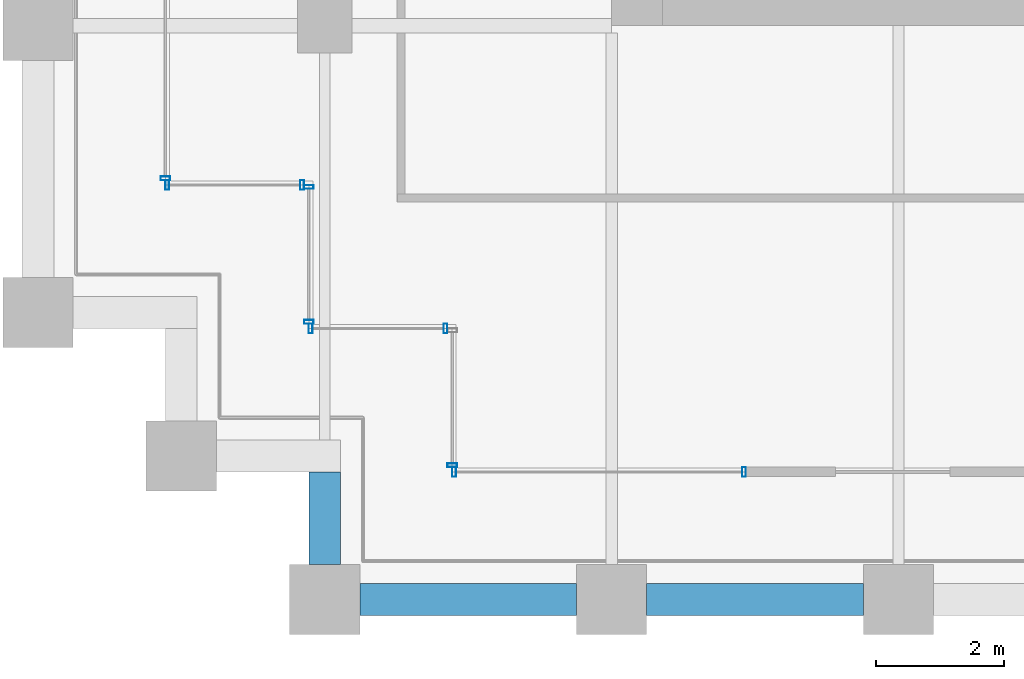
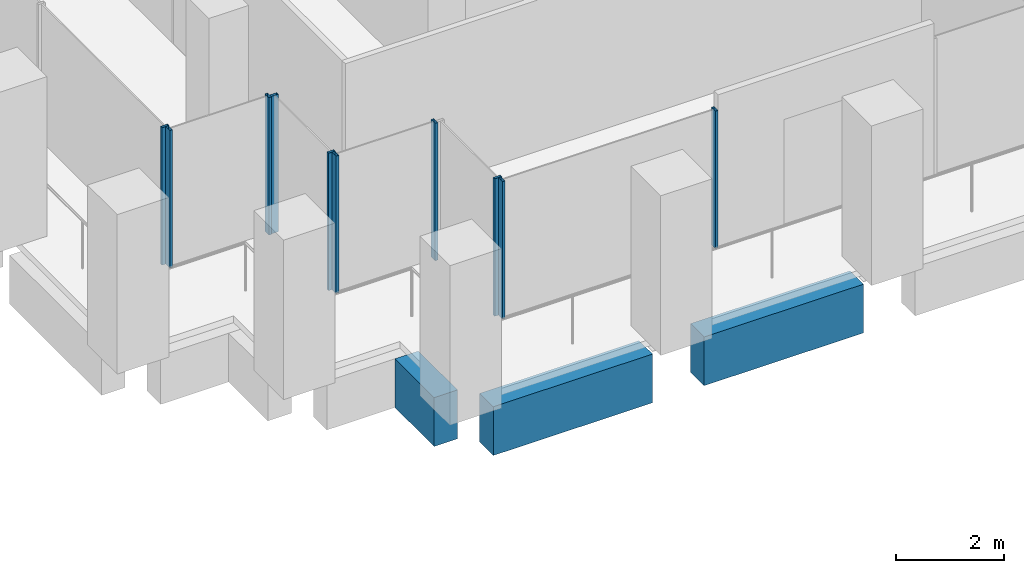
# One storey, part 34 of 54: 10 members, 3 beams, 6 elements without a shape of their own.
"""IFC4 building model written with IfcOpenShell, lengths in metres."""

from ifc_helpers import new_model, si_unit, direction, frame, origin, origin_2d, place, context, subcontext, project, spatial, rectangle, hollow_rectangle, extrude, material, material_profile, profile_set, type_object, element, aggregate, save


model = new_model("IFC4")

# Units and contexts
model_context = context("Model", 3, precision=1e-05, world=origin(), true_north=direction((0.0, 1.0)))
body_context = subcontext(model_context, "Body", "Model", "MODEL_VIEW")
ifc_project = project(units=[si_unit("LENGTHUNIT", "METRE"), si_unit("AREAUNIT", "SQUARE_METRE"), si_unit("VOLUMEUNIT", "CUBIC_METRE"), si_unit("PLANEANGLEUNIT", "RADIAN"), si_unit("MASSUNIT", "GRAM", prefix="KILO")], contexts=[model_context])

# Site, building, storey
site_placement = place(None, origin())
site = spatial("IfcSite", under=ifc_project, at=site_placement, CompositionType="ELEMENT")
building_placement = place(site_placement, origin())
building = spatial("IfcBuilding", under=site, at=building_placement, Name="Altepetl Exchange Towers", CompositionType="ELEMENT")
storey_placement = place(building_placement, frame((0.0, 0.0, 58.199951171875)))
storey = spatial("IfcBuildingStorey", under=building, at=storey_placement, Name="L13", CompositionType="ELEMENT", Elevation=58.199951171875)

# Curtain wall, member
ifc_material_1 = material(Name="Aluminium 6063-T6 glazing", Category="aluminium")
curtain_wall_type = type_object("IfcCurtainWallType", Name="Loggia glazing system", PredefinedType="NOTDEFINED", material=ifc_material_1)
curtain_wall_1_placement = place(storey_placement, origin())
curtain_wall_1 = element("IfcCurtainWall", 1, at=curtain_wall_1_placement, inside=storey, type_object=curtain_wall_type, Name="CW1 run", PredefinedType="NOTDEFINED")
ifc_material_2 = material(Name="Aluminium 6063-T6", Category="aluminium")
ifc_material_profile_1 = material_profile(ifc_material_2, hollow_rectangle(XDim=0.06005859375, YDim=0.14990234375, WallThickness=0.0029296875, at=origin_2d()), Name="Mullion 60x150 aluminium")
ifc_profile_set_1 = profile_set([ifc_material_profile_1], Name="Aluminium 6063-T6")
member_type = type_object("IfcMemberType", Name="Mullion 60x150 aluminium", PredefinedType="MULLION", material=ifc_profile_set_1)
member_1_placement = place(storey_placement, frame((96.5, 33.60498046875, 0.0), z_axis=(0.0, 0.0, 1.0), x_axis=(0.0, -1.0, 0.0)))
member_1 = element("IfcMember", 2, at=member_1_placement, type_object=member_type, Name="MU1 mullion", PredefinedType="MULLION", context=body_context, shape_type="SweptSolid", body=[
    extrude(hollow_rectangle(XDim=0.06005859375, YDim=0.14990234375, WallThickness=0.0029296875, at=origin_2d()), origin(), (0.0, 0.0, 1.0), 3.10009765625),
])
aggregate(curtain_wall_1, [member_1])

# Curtain wall, members
curtain_wall_2_placement = place(storey_placement, origin())
curtain_wall_2 = element("IfcCurtainWall", 3, at=curtain_wall_2_placement, inside=storey, type_object=curtain_wall_type, Name="CW1 run", PredefinedType="NOTDEFINED")
member_2_placement = place(storey_placement, frame((96.530029296875, 33.5, 0.0)))
member_2 = element("IfcMember", 4, at=member_2_placement, type_object=member_type, Name="MU1 mullion", PredefinedType="MULLION", context=body_context, shape_type="SweptSolid", body=[
    extrude(hollow_rectangle(XDim=0.06005859375, YDim=0.14990234375, WallThickness=0.0029296875, at=origin_2d()), origin(), (0.0, 0.0, 1.0), 3.10009765625),
])
member_3_placement = place(storey_placement, frame((98.64501953125, 33.5, 0.0)))
member_3 = element("IfcMember", 5, at=member_3_placement, type_object=member_type, Name="MU1 mullion", PredefinedType="MULLION", context=body_context, shape_type="SweptSolid", body=[
    extrude(hollow_rectangle(XDim=0.06005859375, YDim=0.14990234375, WallThickness=0.0029296875, at=origin_2d()), origin(), (0.0, 0.0, 1.0), 3.10009765625),
])
aggregate(curtain_wall_2, [member_2, member_3])

curtain_wall_3_placement = place(storey_placement, origin())
curtain_wall_3 = element("IfcCurtainWall", 6, at=curtain_wall_3_placement, inside=storey, type_object=curtain_wall_type, Name="CW1 run", PredefinedType="NOTDEFINED")
member_4_placement = place(storey_placement, frame((98.75, 33.469970703125, 0.0), z_axis=(0.0, 0.0, 1.0), x_axis=(0.0, -1.0, 0.0)))
member_4 = element("IfcMember", 7, at=member_4_placement, type_object=member_type, Name="MU1 mullion", PredefinedType="MULLION", context=body_context, shape_type="SweptSolid", body=[
    extrude(hollow_rectangle(XDim=0.06005859375, YDim=0.14990234375, WallThickness=0.0029296875, at=origin_2d()), origin(), (0.0, 0.0, 1.0), 3.10009765625),
])
member_5_placement = place(storey_placement, frame((98.75, 31.35498046875, 0.0), z_axis=(0.0, 0.0, 1.0), x_axis=(0.0, -1.0, 0.0)))
member_5 = element("IfcMember", 8, at=member_5_placement, type_object=member_type, Name="MU1 mullion", PredefinedType="MULLION", context=body_context, shape_type="SweptSolid", body=[
    extrude(hollow_rectangle(XDim=0.06005859375, YDim=0.14990234375, WallThickness=0.0029296875, at=origin_2d()), origin(), (0.0, 0.0, 1.0), 3.10009765625),
])
aggregate(curtain_wall_3, [member_4, member_5])

curtain_wall_4_placement = place(storey_placement, origin())
curtain_wall_4 = element("IfcCurtainWall", 9, at=curtain_wall_4_placement, inside=storey, type_object=curtain_wall_type, Name="CW1 run", PredefinedType="NOTDEFINED")
member_6_placement = place(storey_placement, frame((98.780029296875, 31.25, 0.0)))
member_6 = element("IfcMember", 10, at=member_6_placement, type_object=member_type, Name="MU1 mullion", PredefinedType="MULLION", context=body_context, shape_type="SweptSolid", body=[
    extrude(hollow_rectangle(XDim=0.06005859375, YDim=0.14990234375, WallThickness=0.0029296875, at=origin_2d()), origin(), (0.0, 0.0, 1.0), 3.10009765625),
])
member_7_placement = place(storey_placement, frame((100.89501953125, 31.25, 0.0)))
member_7 = element("IfcMember", 11, at=member_7_placement, type_object=member_type, Name="MU1 mullion", PredefinedType="MULLION", context=body_context, shape_type="SweptSolid", body=[
    extrude(hollow_rectangle(XDim=0.06005859375, YDim=0.14990234375, WallThickness=0.0029296875, at=origin_2d()), origin(), (0.0, 0.0, 1.0), 3.10009765625),
])
aggregate(curtain_wall_4, [member_6, member_7])

# Curtain wall, member
curtain_wall_5_placement = place(storey_placement, origin())
curtain_wall_5 = element("IfcCurtainWall", 12, at=curtain_wall_5_placement, inside=storey, type_object=curtain_wall_type, Name="CW1 run", PredefinedType="NOTDEFINED")
member_8_placement = place(storey_placement, frame((101.0, 29.10498046875, 0.0), z_axis=(0.0, 0.0, 1.0), x_axis=(0.0, -1.0, 0.0)))
member_8 = element("IfcMember", 13, at=member_8_placement, type_object=member_type, Name="MU1 mullion", PredefinedType="MULLION", context=body_context, shape_type="SweptSolid", body=[
    extrude(hollow_rectangle(XDim=0.06005859375, YDim=0.14990234375, WallThickness=0.0029296875, at=origin_2d()), origin(), (0.0, 0.0, 1.0), 3.10009765625),
])
aggregate(curtain_wall_5, [member_8])

# Curtain wall, members
curtain_wall_6_placement = place(storey_placement, origin())
curtain_wall_6 = element("IfcCurtainWall", 14, at=curtain_wall_6_placement, inside=storey, type_object=curtain_wall_type, Name="CW1 run", PredefinedType="NOTDEFINED")
member_9_placement = place(storey_placement, frame((101.030029296875, 29.0, 0.0)))
member_9 = element("IfcMember", 15, at=member_9_placement, type_object=member_type, Name="MU1 mullion", PredefinedType="MULLION", context=body_context, shape_type="SweptSolid", body=[
    extrude(hollow_rectangle(XDim=0.06005859375, YDim=0.14990234375, WallThickness=0.0029296875, at=origin_2d()), origin(), (0.0, 0.0, 1.0), 3.10009765625),
])
member_10_placement = place(storey_placement, frame((105.576171875, 29.0, 0.0)))
member_10 = element("IfcMember", 16, at=member_10_placement, type_object=member_type, Name="MU1 mullion", PredefinedType="MULLION", context=body_context, shape_type="SweptSolid", body=[
    extrude(hollow_rectangle(XDim=0.06005859375, YDim=0.14990234375, WallThickness=0.0029296875, at=origin_2d()), origin(), (0.0, 0.0, 1.0), 3.10009765625),
])
aggregate(curtain_wall_6, [member_9, member_10])

# Beams
ifc_material_3 = material(Name="Concrete C50/60 precast with tezontle facing", Category="concrete")
ifc_material_profile_2 = material_profile(ifc_material_3, rectangle(XDim=0.5, YDim=1.10009765625, at=origin_2d()), Name="500 x 1100")
ifc_profile_set_2 = profile_set([ifc_material_profile_2], Name="Concrete C50/60 precast with tezontle facing")
beam_type = type_object("IfcBeamType", Name="Spandrel beam 500x1100 tezontle", PredefinedType="SPANDREL", material=ifc_profile_set_2)
for number, where, z_axis, x_axis, name in (
    (17, (99.550048828125, 27.0, -0.699951171875), (1.0, 0.0, 0.0), (0.0, 1.0, 0.0), "sp:B:L13:000"),
    (18, (104.050048828125, 27.0, -0.699951171875), (1.0, 0.0, 0.0), (0.0, 1.0, 0.0), "sp:B:L13:001"),
):
    element("IfcBeam", number, at=place(storey_placement, frame(where, z_axis=z_axis, x_axis=x_axis)), inside=storey, type_object=beam_type, Name=name, PredefinedType="SPANDREL", context=body_context, shape_type="SweptSolid", body=[
        extrude(rectangle(XDim=0.5, YDim=1.10009765625, at=origin_2d()), origin(), (0.0, 0.0, 1.0), 3.39990234375),
    ])
beam_placement = place(storey_placement, frame((99.0, 29.0, -0.699951171875), z_axis=(0.0, -1.0, 0.0), x_axis=(1.0, 0.0, 0.0)))
element("IfcBeam", 19, at=beam_placement, inside=storey, type_object=beam_type, Name="sp:B:L13:035", PredefinedType="SPANDREL", context=body_context, shape_type="SweptSolid", body=[
    extrude(rectangle(XDim=0.5, YDim=1.10009765625, at=origin_2d()), origin(), (0.0, 0.0, 1.0), 1.449951171875),
])

save(model, "model.ifc")
